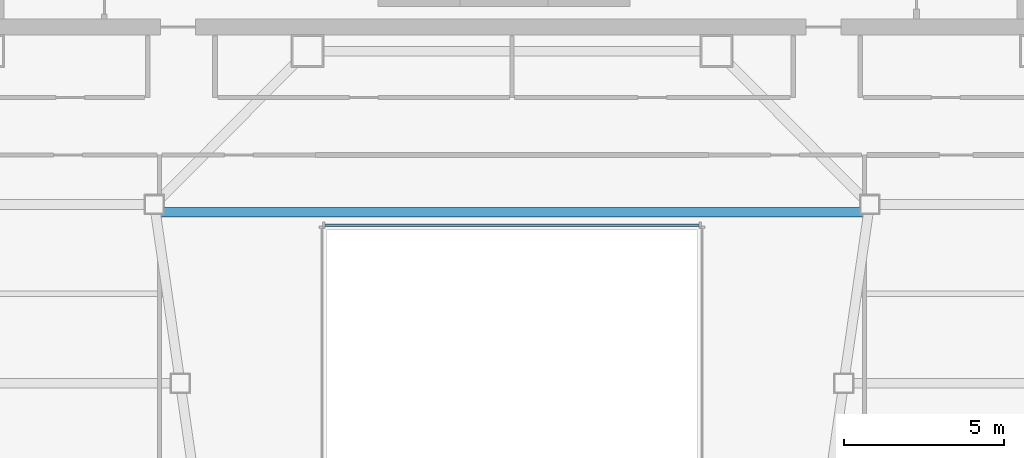
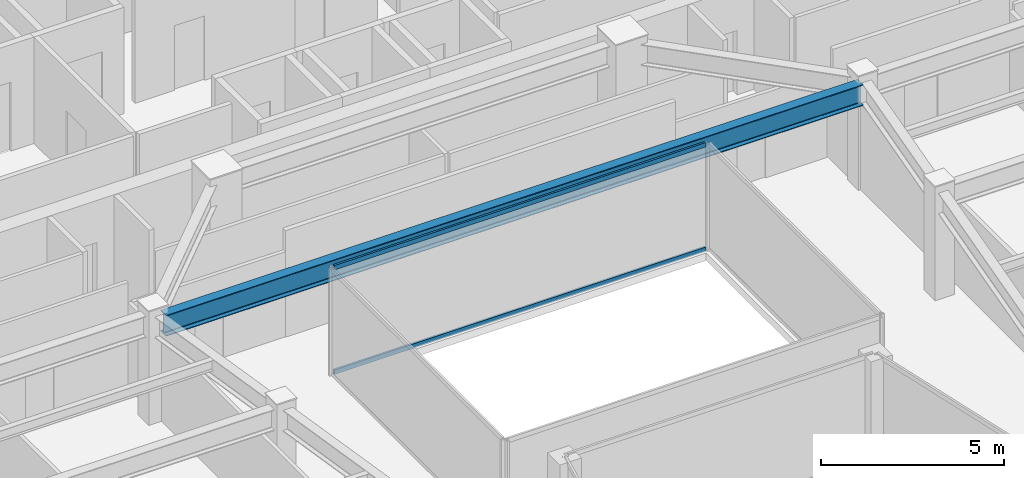
# One storey, part 13 of 35: 2 members, 1 beam, 1 element without a shape of its own.
"""IFC4 building model written with IfcOpenShell, lengths in metres."""

from ifc_helpers import new_model, si_unit, direction, frame, origin, origin_2d, place, context, subcontext, project, spatial, hollow_rectangle, i_section, extrude, material, material_profile, profile_set, type_object, element, aggregate, save


model = new_model("IFC4")

# Units and contexts
model_context = context("Model", 3, precision=1e-05, world=origin(), true_north=direction((0.0, 1.0)))
body_context = subcontext(model_context, "Body", "Model", "MODEL_VIEW")
ifc_project = project(units=[si_unit("LENGTHUNIT", "METRE"), si_unit("AREAUNIT", "SQUARE_METRE"), si_unit("VOLUMEUNIT", "CUBIC_METRE"), si_unit("PLANEANGLEUNIT", "RADIAN"), si_unit("MASSUNIT", "GRAM", prefix="KILO")], contexts=[model_context])

# Site, building, storey
site_placement = place(None, origin())
site = spatial("IfcSite", under=ifc_project, at=site_placement, CompositionType="ELEMENT")
building_placement = place(site_placement, origin())
building = spatial("IfcBuilding", under=site, at=building_placement, Name="Saevonmaru Cultural Tower", CompositionType="ELEMENT")
storey_placement = place(building_placement, frame((0.0, 0.0, 179.0)))
storey = spatial("IfcBuildingStorey", under=building, at=storey_placement, Name="L40", CompositionType="ELEMENT", Elevation=179.0)

# Beam
ifc_material_1 = material(Name="Steel SM355", Category="steel")
ifc_material_profile_1 = material_profile(ifc_material_1, i_section(OverallWidth=0.300048828125, OverallDepth=0.699951171875, WebThickness=0.012939453125, FlangeThickness=0.02392578125, FilletRadius=0.02587890625, at=origin_2d()), Name="H-700x300x13x24")
ifc_profile_set_1 = profile_set([ifc_material_profile_1], Name="Steel SM355")
beam_type = type_object("IfcBeamType", Name="BM-G-H700", PredefinedType="BEAM", material=ifc_profile_set_1)
beam_placement = place(storey_placement, frame((19.000732421875, 37.360107421875, 3.199951171875), z_axis=(1.0, 0.0, 0.0), x_axis=(0.0, 1.0, 0.0)))
element("IfcBeam", 1, at=beam_placement, inside=storey, type_object=beam_type, Name="L40 Central Link Girder", PredefinedType="BEAM", context=body_context, shape_type="SweptSolid", body=[
    extrude(i_section(OverallWidth=0.300048828125, OverallDepth=0.699951171875, WebThickness=0.012939453125, FlangeThickness=0.02392578125, FilletRadius=0.02587890625, at=origin_2d()), origin(), (0.0, 0.0, 1.0), 21.99853515625),
])

# Curtain wall, members
ifc_material_2 = material(Name="Satin Bronze Anodised Aluminium", Category="aluminium")
curtain_wall_type = type_object("IfcCurtainWallType", Name="CW-ATR-GLZ", PredefinedType="NOTDEFINED", material=ifc_material_2)
curtain_wall_placement = place(storey_placement, origin())
curtain_wall = element("IfcCurtainWall", 2, at=curtain_wall_placement, inside=storey, type_object=curtain_wall_type, Name="L40 Vertical Atrium Glazed Smoke Screen 3", PredefinedType="NOTDEFINED")
ifc_material_profile_2 = material_profile(ifc_material_2, hollow_rectangle(XDim=0.06494140625, YDim=0.14990234375, WallThickness=0.00390625, at=origin_2d()), Name="ALU-TRAN-150x65x4")
ifc_profile_set_2 = profile_set([ifc_material_profile_2], Name="Satin Bronze Anodised Aluminium")
member_type = type_object("IfcMemberType", Name="TR-CW-INT-150x65", PredefinedType="USERDEFINED", material=ifc_profile_set_2)
member_1_placement = place(storey_placement, frame((35.857421875, 36.949951171875, 0.032470703125), z_axis=(-1.0, 0.0, 0.0), x_axis=(0.0, -1.0, 0.0)))
member_1 = element("IfcMember", 3, at=member_1_placement, type_object=member_type, Name="CW-ATR-L40-3 transom 1.1", ObjectType="TRANSOM", PredefinedType="USERDEFINED", context=body_context, shape_type="SweptSolid", body=[
    extrude(hollow_rectangle(XDim=0.06494140625, YDim=0.14990234375, WallThickness=0.00390625, at=origin_2d()), origin(), (0.0, 0.0, 1.0), 11.71484375),
])
member_2_placement = place(storey_placement, frame((35.857421875, 36.949951171875, 3.517578125), z_axis=(-1.0, 0.0, 0.0), x_axis=(0.0, -1.0, 0.0)))
member_2 = element("IfcMember", 4, at=member_2_placement, type_object=member_type, Name="CW-ATR-L40-3 transom 1.2", ObjectType="TRANSOM", PredefinedType="USERDEFINED", context=body_context, shape_type="SweptSolid", body=[
    extrude(hollow_rectangle(XDim=0.06494140625, YDim=0.14990234375, WallThickness=0.00390625, at=origin_2d()), origin(), (0.0, 0.0, 1.0), 11.71484375),
])
aggregate(curtain_wall, [member_1, member_2])

save(model, "model.ifc")
